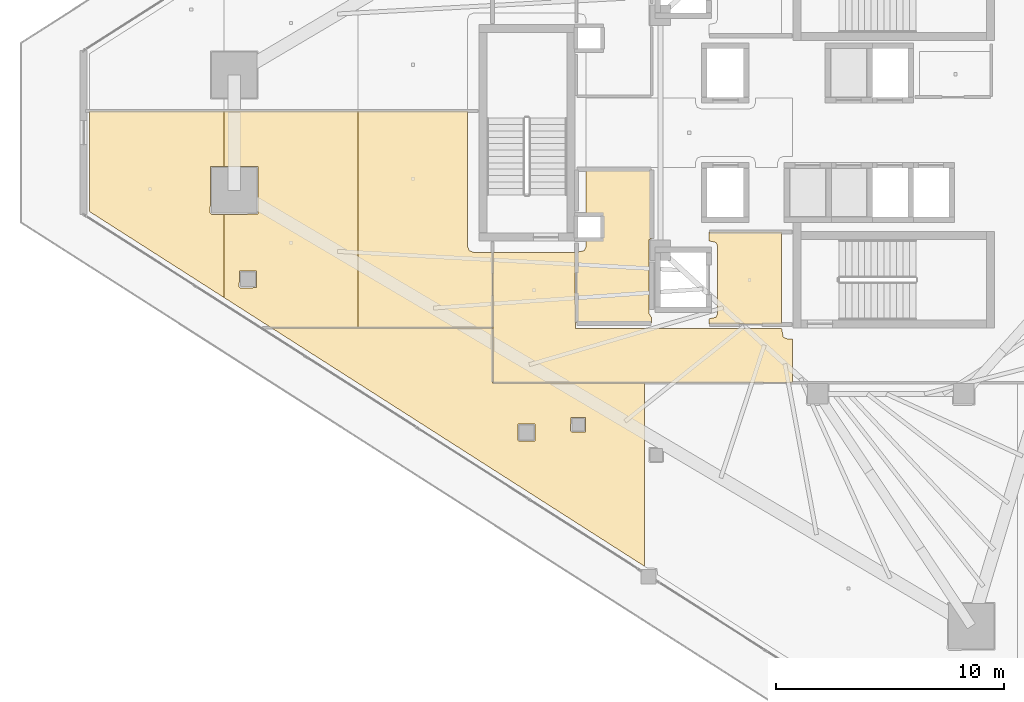
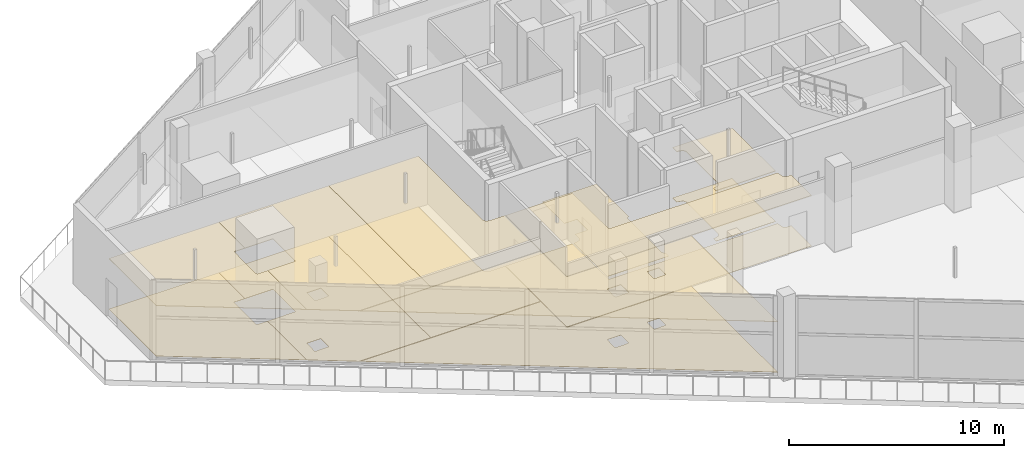
# One storey, part 29 of 36: 13 coverings.
"""IFC4 building model written with IfcOpenShell, lengths in metres."""

from ifc_helpers import new_model, si_unit, direction, frame, origin, place, context, subcontext, project, spatial, polyline, outline, extrude, material, layer, layer_set, type_object, element, save


model = new_model("IFC4")

# Units and contexts
model_context = context("Model", 3, precision=1e-05, world=origin(), true_north=direction((0.0, 1.0)))
body_context = subcontext(model_context, "Body", "Model", "MODEL_VIEW")
ifc_project = project(units=[si_unit("LENGTHUNIT", "METRE"), si_unit("AREAUNIT", "SQUARE_METRE"), si_unit("VOLUMEUNIT", "CUBIC_METRE"), si_unit("PLANEANGLEUNIT", "RADIAN"), si_unit("MASSUNIT", "GRAM", prefix="KILO")], contexts=[model_context])

# Site, building, storey
site_placement = place(None, origin())
site = spatial("IfcSite", under=ifc_project, at=site_placement, CompositionType="ELEMENT")
building_placement = place(site_placement, origin())
building = spatial("IfcBuilding", under=site, at=building_placement, Name="Qorvath Tower", CompositionType="ELEMENT")
storey_placement = place(building_placement, frame((0.0, 0.0, 180.0)))
storey = spatial("IfcBuildingStorey", under=building, at=storey_placement, Name="L41", CompositionType="ELEMENT", Elevation=180.0)

# Coverings
ifc_material_1 = material(Name="Acoustic mineral fibre ceiling tile", Category="gypsum")
ifc_layer_1 = layer(ifc_material_1, 0.030029296875)
ifc_layer_set_1 = layer_set([ifc_layer_1], Name="COV-CEIL")
covering_type_1 = type_object("IfcCoveringType", Name="COV-CEIL", PredefinedType="CEILING", material=ifc_layer_set_1)
covering_1_placement = place(storey_placement, frame((0.0, 0.0, 2.85009765625)))
element("IfcCovering", 1, at=covering_1_placement, inside=storey, type_object=covering_type_1, Name="L41 Suspended Acoustic Ceiling 002", PredefinedType="CEILING", context=body_context, shape_type="SweptSolid", body=[
    extrude(outline(polyline([(-25.18994140625, -8.39501953125), (-25.18994140625, -4.35498046875), (-28.375, -4.35498046875), (-28.375, -4.739990234375), (-28.063232421875, -4.813232421875), (-27.989990234375, -4.989990234375), (-27.989990234375, -7.909912109375), (-28.063232421875, -8.086669921875), (-28.375, -8.159912109375), (-28.375, -8.39501953125), (-25.18994140625, -8.39501953125)])), origin(), (0.0, 0.0, 1.0), 0.030029296875),
])
covering_2_placement = place(storey_placement, frame((0.0, 0.0, 2.85009765625)))
element("IfcCovering", 2, at=covering_2_placement, inside=storey, type_object=covering_type_1, Name="L41 Suspended Acoustic Ceiling 006", PredefinedType="CEILING", context=body_context, shape_type="SweptSolid", body=[
    extrude(outline(polyline([(-34.22509765625, -8.580078125), (-34.251220703125, -5.239990234375), (-37.844970703125, -5.239990234375), (-37.844970703125, -10.945068359375), (-24.72216796875, -10.945068359375), (-24.72216796875, -9.0400390625), (-24.93994140625, -9.0400390625), (-25.11669921875, -8.966796875), (-25.18994140625, -8.57421875), (-34.22509765625, -8.580078125)])), origin(), (0.0, 0.0, 1.0), 0.030029296875),
])
covering_3_placement = place(storey_placement, frame((0.0, 0.0, 2.85009765625)))
element("IfcCovering", 3, at=covering_3_placement, inside=storey, type_object=covering_type_1, Name="L41 Suspended Acoustic Ceiling 019", PredefinedType="CEILING", context=body_context, shape_type="SweptSolid", body=[
    extrude(outline(polyline([(-31.19580078125, -19.00390625), (-31.19580078125, -10.962890625), (-37.85791015625, -10.962890625), (-37.863037109375, -8.554931640625), (-47.54443359375, -8.554931640625), (-31.19580078125, -19.00390625)]), holes=[polyline([(-34.439208984375, -13.0673828125), (-34.421630859375, -12.47509765625), (-33.786865234375, -12.47509765625), (-33.786865234375, -13.10986328125), (-34.379150390625, -13.12744140625), (-34.439208984375, -13.0673828125)]), polyline([(-36.749755859375, -13.46044921875), (-36.732177734375, -12.76806640625), (-35.997314453125, -12.76806640625), (-35.997314453125, -13.5029296875), (-36.689697265625, -13.5205078125), (-36.749755859375, -13.46044921875)])]), origin(), (0.0, 0.0, 1.0), 0.030029296875),
])
covering_4_placement = place(storey_placement, frame((0.0, 0.0, 2.85009765625)))
element("IfcCovering", 4, at=covering_4_placement, inside=storey, type_object=covering_type_1, Name="L41 Suspended Acoustic Ceiling 028", PredefinedType="CEILING", context=body_context, shape_type="SweptSolid", body=[
    extrude(outline(polyline([(-49.637451171875, -7.21728515625), (-49.637451171875, -3.583251953125), (-50.171875, -3.587890625), (-50.23193359375, -3.52783203125), (-50.21435546875, -1.4853515625), (-49.637451171875, -1.4853515625), (-49.637451171875, 0.9482421875), (-55.52490234375, 0.9482421875), (-55.52490234375, -3.454345703125), (-49.637451171875, -7.21728515625)])), origin(), (0.0, 0.0, 1.0), 0.030029296875),
])
covering_5_placement = place(storey_placement, frame((0.0, 0.0, 2.85009765625)))
element("IfcCovering", 5, at=covering_5_placement, inside=storey, type_object=covering_type_1, Name="L41 Suspended Acoustic Ceiling 029", PredefinedType="CEILING", context=body_context, shape_type="SweptSolid", body=[
    extrude(outline(polyline([(-43.750244140625, -8.537109375), (-43.750244140625, 0.9482421875), (-49.637451171875, 0.9482421875), (-49.637451171875, -1.4853515625), (-48.12939453125, -1.4853515625), (-48.12939453125, -3.5703125), (-49.637451171875, -3.583251953125), (-49.637451171875, -7.21728515625), (-47.572509765625, -8.537109375), (-43.750244140625, -8.537109375)]), holes=[polyline([(-48.96337890625, -6.74951171875), (-48.94580078125, -6.05712890625), (-48.2109375, -6.05712890625), (-48.2109375, -6.7919921875), (-48.9033203125, -6.8095703125), (-48.96337890625, -6.74951171875)])]), origin(), (0.0, 0.0, 1.0), 0.030029296875),
])
covering_6_placement = place(storey_placement, frame((0.0, 0.0, 2.85009765625)))
element("IfcCovering", 6, at=covering_6_placement, inside=storey, type_object=covering_type_1, Name="L41 Suspended Acoustic Ceiling 030", PredefinedType="CEILING", context=body_context, shape_type="SweptSolid", body=[
    extrude(outline(polyline([(-37.863037109375, -8.537109375), (-37.863037109375, -5.239990234375), (-38.699951171875, -5.239990234375), (-38.876708984375, -5.166748046875), (-38.949951171875, -4.989990234375), (-38.949951171875, 0.9482421875), (-43.750244140625, 0.9482421875), (-43.750244140625, -8.537109375), (-37.863037109375, -8.537109375)])), origin(), (0.0, 0.0, 1.0), 0.030029296875),
])
ifc_material_2 = material(Name="Low-VOC modular carpet tile", Category="textile")
ifc_layer_2 = layer(ifc_material_2, 0.014892578125)
ifc_layer_set_2 = layer_set([ifc_layer_2], Name="COV-FLOOR-CPT")
covering_type_2 = type_object("IfcCoveringType", Name="COV-FLOOR-CPT", PredefinedType="FLOORING", material=ifc_layer_set_2)
covering_7_placement = place(storey_placement, origin())
element("IfcCovering", 7, at=covering_7_placement, inside=storey, type_object=covering_type_2, Name="L41 Floor Finish 005", PredefinedType="FLOORING", context=body_context, shape_type="SweptSolid", body=[
    extrude(outline(polyline([(-30.885009765625, -1.60498046875), (-33.760009765625, -1.60498046875), (-33.760009765625, -3.636962890625), (-33.08837890625, -3.638427734375), (-33.0869140625, -4.6279296875), (-33.760009765625, -4.633056640625), (-33.760009765625, -4.989990234375), (-33.833251953125, -5.166748046875), (-34.175048828125, -5.239990234375), (-34.175048828125, -8.344970703125), (-30.885009765625, -8.344970703125), (-30.885009765625, -8.108154296875), (-31.010009765625, -7.909912109375), (-31.010009765625, -4.989990234375), (-31.010009765625, -4.699951171875), (-30.885009765625, -4.639892578125), (-30.885009765625, -1.60498046875)])), origin(), (0.0, 0.0, 1.0), 0.014892578125),
])
covering_8_placement = place(storey_placement, origin())
element("IfcCovering", 8, at=covering_8_placement, inside=storey, type_object=covering_type_2, Name="L41 Floor Finish 019", PredefinedType="FLOORING", context=body_context, shape_type="SweptSolid", body=[
    extrude(outline(polyline([(-31.19580078125, -19.00390625), (-31.19580078125, -10.962890625), (-37.85791015625, -10.962890625), (-37.863037109375, -8.554931640625), (-47.54443359375, -8.554931640625), (-31.19580078125, -19.00390625)]), holes=[polyline([(-34.439208984375, -13.0673828125), (-34.421630859375, -12.47509765625), (-33.786865234375, -12.47509765625), (-33.786865234375, -13.10986328125), (-34.379150390625, -13.12744140625), (-34.439208984375, -13.0673828125)]), polyline([(-36.749755859375, -13.46044921875), (-36.732177734375, -12.76806640625), (-35.997314453125, -12.76806640625), (-35.997314453125, -13.5029296875), (-36.689697265625, -13.5205078125), (-36.749755859375, -13.46044921875)])]), origin(), (0.0, 0.0, 1.0), 0.014892578125),
])
covering_9_placement = place(storey_placement, origin())
element("IfcCovering", 9, at=covering_9_placement, inside=storey, type_object=covering_type_2, Name="L41 Floor Finish 028", PredefinedType="FLOORING", context=body_context, shape_type="SweptSolid", body=[
    extrude(outline(polyline([(-49.637451171875, -7.21728515625), (-49.637451171875, -3.583251953125), (-50.171875, -3.587890625), (-50.23193359375, -3.52783203125), (-50.21435546875, -1.4853515625), (-49.637451171875, -1.4853515625), (-49.637451171875, 0.9482421875), (-55.52490234375, 0.9482421875), (-55.52490234375, -3.454345703125), (-49.637451171875, -7.21728515625)])), origin(), (0.0, 0.0, 1.0), 0.014892578125),
])
covering_10_placement = place(storey_placement, origin())
element("IfcCovering", 10, at=covering_10_placement, inside=storey, type_object=covering_type_2, Name="L41 Floor Finish 029", PredefinedType="FLOORING", context=body_context, shape_type="SweptSolid", body=[
    extrude(outline(polyline([(-43.750244140625, -8.537109375), (-43.750244140625, 0.9482421875), (-49.637451171875, 0.9482421875), (-49.637451171875, -1.4853515625), (-48.12939453125, -1.4853515625), (-48.12939453125, -3.5703125), (-49.637451171875, -3.583251953125), (-49.637451171875, -7.21728515625), (-47.572509765625, -8.537109375), (-43.750244140625, -8.537109375)]), holes=[polyline([(-48.96337890625, -6.74951171875), (-48.94580078125, -6.05712890625), (-48.2109375, -6.05712890625), (-48.2109375, -6.7919921875), (-48.9033203125, -6.8095703125), (-48.96337890625, -6.74951171875)])]), origin(), (0.0, 0.0, 1.0), 0.014892578125),
])
covering_11_placement = place(storey_placement, origin())
element("IfcCovering", 11, at=covering_11_placement, inside=storey, type_object=covering_type_2, Name="L41 Floor Finish 030", PredefinedType="FLOORING", context=body_context, shape_type="SweptSolid", body=[
    extrude(outline(polyline([(-37.863037109375, -8.537109375), (-37.863037109375, -5.239990234375), (-38.699951171875, -5.239990234375), (-38.876708984375, -5.166748046875), (-38.949951171875, -4.989990234375), (-38.949951171875, 0.9482421875), (-43.750244140625, 0.9482421875), (-43.750244140625, -8.537109375), (-37.863037109375, -8.537109375)])), origin(), (0.0, 0.0, 1.0), 0.014892578125),
])
ifc_material_3 = material(Name="Polished epoxy terrazzo flooring", Category="concrete")
ifc_layer_3 = layer(ifc_material_3, 0.02001953125)
ifc_layer_set_3 = layer_set([ifc_layer_3], Name="COV-FLOOR-TRZ")
covering_type_3 = type_object("IfcCoveringType", Name="COV-FLOOR-TRZ", PredefinedType="FLOORING", material=ifc_layer_set_3)
covering_12_placement = place(storey_placement, origin())
element("IfcCovering", 12, at=covering_12_placement, inside=storey, type_object=covering_type_3, Name="L41 Floor Finish 002", PredefinedType="FLOORING", context=body_context, shape_type="SweptSolid", body=[
    extrude(outline(polyline([(-25.18994140625, -8.39501953125), (-25.18994140625, -4.35498046875), (-28.375, -4.35498046875), (-28.375, -4.739990234375), (-28.063232421875, -4.813232421875), (-27.989990234375, -4.989990234375), (-27.989990234375, -7.909912109375), (-28.063232421875, -8.086669921875), (-28.375, -8.159912109375), (-28.375, -8.39501953125), (-25.18994140625, -8.39501953125)])), origin(), (0.0, 0.0, 1.0), 0.014892578125),
])
covering_13_placement = place(storey_placement, origin())
element("IfcCovering", 13, at=covering_13_placement, inside=storey, type_object=covering_type_3, Name="L41 Floor Finish 006", PredefinedType="FLOORING", context=body_context, shape_type="SweptSolid", body=[
    extrude(outline(polyline([(-34.22509765625, -8.580078125), (-34.251220703125, -5.239990234375), (-37.844970703125, -5.239990234375), (-37.844970703125, -10.945068359375), (-24.72216796875, -10.945068359375), (-24.72216796875, -9.0400390625), (-24.93994140625, -9.0400390625), (-25.11669921875, -8.966796875), (-25.18994140625, -8.57421875), (-34.22509765625, -8.580078125)])), origin(), (0.0, 0.0, 1.0), 0.014892578125),
])

save(model, "model.ifc")
